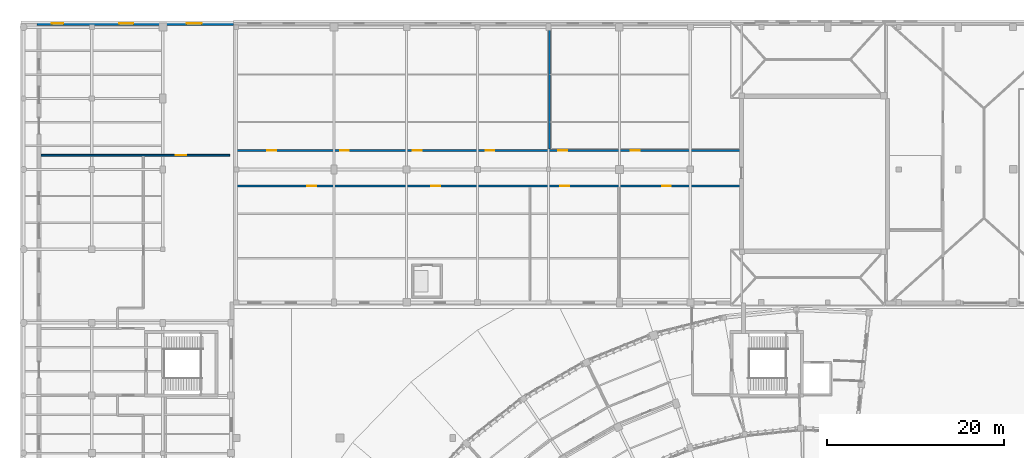
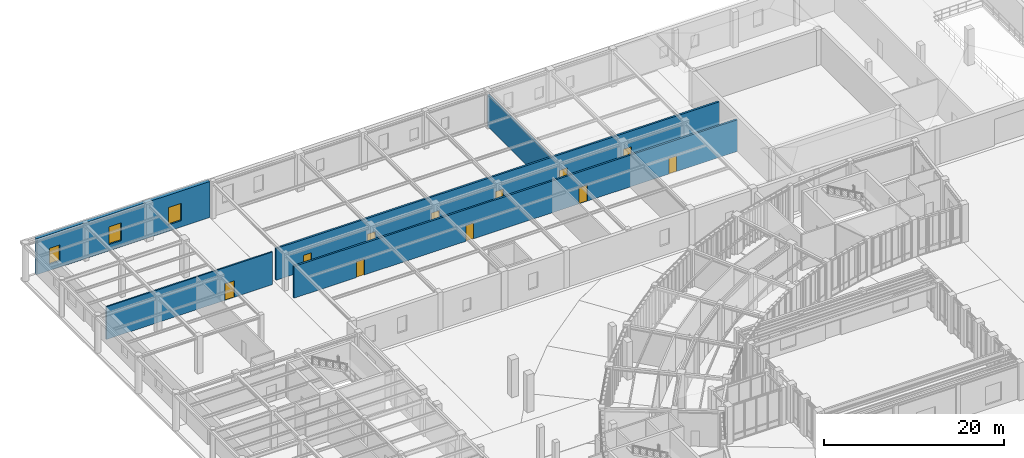
# One storey, part 43 of 68: 11 doors, 5 walls, 3 windows, 14 openings.
"""IFC4 building model written with IfcOpenShell, lengths in metres."""

from ifc_helpers import new_model, si_unit, direction, frame, frame_2d, origin, place, context, subcontext, project, spatial, rectangle, extrude, material, layer, layer_set, type_object, element, fill, save


model = new_model("IFC4")

# Units and contexts
model_context = context("Model", 3, precision=1e-05, world=origin(), true_north=direction((0.0, 1.0)))
body_context = subcontext(model_context, "Body", "Model", "MODEL_VIEW")
ifc_project = project(units=[si_unit("LENGTHUNIT", "METRE"), si_unit("AREAUNIT", "SQUARE_METRE"), si_unit("VOLUMEUNIT", "CUBIC_METRE"), si_unit("PLANEANGLEUNIT", "RADIAN"), si_unit("MASSUNIT", "GRAM", prefix="KILO"), si_unit("THERMODYNAMICTEMPERATUREUNIT", "KELVIN"), si_unit("POWERUNIT", "WATT")], contexts=[model_context])

# Site, building, storey
site_placement = place(None, origin())
site = spatial("IfcSite", under=ifc_project, at=site_placement, CompositionType="ELEMENT")
building_placement = place(site_placement, origin())
building = spatial("IfcBuilding", under=site, at=building_placement, Name="Solvatero Civic Police Headquarters", CompositionType="ELEMENT")
storey_placement = place(building_placement, origin())
storey = spatial("IfcBuildingStorey", under=building, at=storey_placement, Name="L00", CompositionType="ELEMENT", Elevation=0.0)

# Wall, openings, doors
ifc_material_1 = material(Name="Reinforced Masonry", Category="masonry")
ifc_layer_1 = layer(ifc_material_1, 0.239990234375)
ifc_layer_set_1 = layer_set([ifc_layer_1], Name="Reinforced Masonry")
wall_type_1 = type_object("IfcWallType", Name="WL-CELL-240", PredefinedType="PARTITIONING", material=ifc_layer_set_1)
wall_1_placement = place(storey_placement, frame((28.800048828125, 98.64990234375, 0.0), z_axis=(0.0, 0.0, 1.0), x_axis=(1.0, 0.0, 0.0)))
wall_1 = element("IfcWall", 1, at=wall_1_placement, inside=storey, type_object=wall_type_1, Name="Interior Partition WLP-L00-CUST-S", PredefinedType="PARTITIONING", context=body_context, shape_type="SweptSolid", body=[
    extrude(rectangle(XDim=56.800048828125, YDim=0.239990234375, at=frame_2d((28.39990234375, 0.0))), origin(), (0.0, 0.0, 1.0), 4.298095703125),
])
opening_1_placement = place(wall_1_placement, frame((8.0, 0.0, 0.0)))
opening_1 = element("IfcOpeningElement", 2, at=opening_1_placement, cuts=wall_1, Name="Opening CD-01", PredefinedType="OPENING", context=body_context, shape_type="SweptSolid", body=[
    extrude(rectangle(XDim=1.0, YDim=2.14990234375, at=frame_2d((0.5, 1.074951171875))), frame((0.0, 0.1298828125, 0.0), z_axis=(0.0, -1.0, 0.0), x_axis=(1.0, 0.0, 0.0)), (0.0, 0.0, 1.0), 0.260009765625),
])
opening_2_placement = place(wall_1_placement, frame((22.0, 0.0, 0.0)))
opening_2 = element("IfcOpeningElement", 3, at=opening_2_placement, cuts=wall_1, Name="Opening CD-01", PredefinedType="OPENING", context=body_context, shape_type="SweptSolid", body=[
    extrude(rectangle(XDim=1.0, YDim=2.14990234375, at=frame_2d((0.5, 1.074951171875))), frame((0.0, 0.1298828125, 0.0), z_axis=(0.0, -1.0, 0.0), x_axis=(1.0, 0.0, 0.0)), (0.0, 0.0, 1.0), 0.260009765625),
])
opening_3_placement = place(wall_1_placement, frame((36.5, 0.0, 0.0)))
opening_3 = element("IfcOpeningElement", 4, at=opening_3_placement, cuts=wall_1, Name="Opening ID-07", PredefinedType="OPENING", context=body_context, shape_type="SweptSolid", body=[
    extrude(rectangle(XDim=1.050048828125, YDim=2.199951171875, at=frame_2d((0.52490234375, 1.10009765625))), frame((0.0, 0.1298828125, 0.0), z_axis=(0.0, -1.0, 0.0), x_axis=(1.0, 0.0, 0.0)), (0.0, 0.0, 1.0), 0.260009765625),
])
opening_4_placement = place(wall_1_placement, frame((48.0, 0.0, 0.0)))
opening_4 = element("IfcOpeningElement", 5, at=opening_4_placement, cuts=wall_1, Name="Opening CD-01", PredefinedType="OPENING", context=body_context, shape_type="SweptSolid", body=[
    extrude(rectangle(XDim=1.0, YDim=2.14990234375, at=frame_2d((0.5, 1.074951171875))), frame((0.0, 0.1298828125, 0.0), z_axis=(0.0, -1.0, 0.0), x_axis=(1.0, 0.0, 0.0)), (0.0, 0.0, 1.0), 0.260009765625),
])
ifc_material_2 = material(Name="Powder-Coated Steel", Category="steel")
door_type_1 = type_object("IfcDoorType", Name="DR-CEL-100x215", OperationType="NOTDEFINED", PredefinedType="DOOR", material=ifc_material_2)
door_1_placement = place(opening_1_placement, origin())
door_1 = element("IfcDoor", 6, at=door_1_placement, inside=storey, type_object=door_type_1, Name="Interior Door DR-L00-DINT1", OperationType="SINGLE_SWING_LEFT", OverallHeight=2.14990234375, OverallWidth=1.0, PredefinedType="DOOR", context=body_context, shape_type="SweptSolid", body=[
    extrude(rectangle(XDim=1.0, YDim=2.14990234375, at=frame_2d((0.5, 1.074951171875))), frame((0.0, 0.02490234375, 0.0), z_axis=(0.0, -1.0, 0.0), x_axis=(1.0, 0.0, 0.0)), (0.0, 0.0, 1.0), 0.050048828125),
])
fill(opening_1, door_1)
door_2_placement = place(opening_2_placement, origin())
door_2 = element("IfcDoor", 7, at=door_2_placement, inside=storey, type_object=door_type_1, Name="Interior Door DR-L00-DINT2", OperationType="SINGLE_SWING_RIGHT", OverallHeight=2.14990234375, OverallWidth=1.0, PredefinedType="DOOR", context=body_context, shape_type="SweptSolid", body=[
    extrude(rectangle(XDim=1.0, YDim=2.14990234375, at=frame_2d((0.5, 1.074951171875))), frame((0.0, 0.02490234375, 0.0), z_axis=(0.0, -1.0, 0.0), x_axis=(1.0, 0.0, 0.0)), (0.0, 0.0, 1.0), 0.050048828125),
])
fill(opening_2, door_2)
door_3_placement = place(opening_4_placement, origin())
door_3 = element("IfcDoor", 8, at=door_3_placement, inside=storey, type_object=door_type_1, Name="Interior Door DR-L00-CDESK", OperationType="SINGLE_SWING_RIGHT", OverallHeight=2.14990234375, OverallWidth=1.0, PredefinedType="DOOR", context=body_context, shape_type="SweptSolid", body=[
    extrude(rectangle(XDim=1.0, YDim=2.14990234375, at=frame_2d((0.5, 1.074951171875))), frame((0.0, 0.02490234375, 0.0), z_axis=(0.0, -1.0, 0.0), x_axis=(1.0, 0.0, 0.0)), (0.0, 0.0, 1.0), 0.050048828125),
])
fill(opening_4, door_3)
door_type_2 = type_object("IfcDoorType", Name="DR-LAB-105x220", OperationType="NOTDEFINED", PredefinedType="DOOR", material=ifc_material_2)
door_4_placement = place(opening_3_placement, origin())
door_4 = element("IfcDoor", 9, at=door_4_placement, inside=storey, type_object=door_type_2, Name="Interior Door DR-L00-CMED", OperationType="SINGLE_SWING_LEFT", OverallHeight=2.199951171875, OverallWidth=1.050048828125, PredefinedType="DOOR", context=body_context, shape_type="SweptSolid", body=[
    extrude(rectangle(XDim=1.050048828125, YDim=2.199951171875, at=frame_2d((0.52490234375, 1.10009765625))), frame((0.0, 0.02490234375, 0.0), z_axis=(0.0, -1.0, 0.0), x_axis=(1.0, 0.0, 0.0)), (0.0, 0.0, 1.0), 0.050048828125),
])
fill(opening_3, door_4)

wall_2_placement = place(storey_placement, frame((28.800048828125, 102.64990234375, 0.0), z_axis=(0.0, 0.0, 1.0), x_axis=(1.0, 0.0, 0.0)))
wall_2 = element("IfcWall", 10, at=wall_2_placement, inside=storey, type_object=wall_type_1, Name="Interior Partition WLP-L00-CUST-N", PredefinedType="PARTITIONING", context=body_context, shape_type="SweptSolid", body=[
    extrude(rectangle(XDim=56.800048828125, YDim=0.239990234375, at=frame_2d((28.39990234375, 0.0))), origin(), (0.0, 0.0, 1.0), 4.298095703125),
])
opening_5_placement = place(wall_2_placement, frame((3.5, 0.0, 0.0)))
opening_5 = element("IfcOpeningElement", 11, at=opening_5_placement, cuts=wall_2, Name="Opening CD-01", PredefinedType="OPENING", context=body_context, shape_type="SweptSolid", body=[
    extrude(rectangle(XDim=1.0, YDim=2.14990234375, at=frame_2d((0.5, 1.074951171875))), frame((0.0, 0.1298828125, 0.0), z_axis=(0.0, -1.0, 0.0), x_axis=(1.0, 0.0, 0.0)), (0.0, 0.0, 1.0), 0.260009765625),
])
opening_6_placement = place(wall_2_placement, frame((11.699951171875, 0.0, 0.0)))
opening_6 = element("IfcOpeningElement", 12, at=opening_6_placement, cuts=wall_2, Name="Opening CD-01", PredefinedType="OPENING", context=body_context, shape_type="SweptSolid", body=[
    extrude(rectangle(XDim=1.0, YDim=2.14990234375, at=frame_2d((0.5, 1.074951171875))), frame((0.0, 0.1298828125, 0.0), z_axis=(0.0, -1.0, 0.0), x_axis=(1.0, 0.0, 0.0)), (0.0, 0.0, 1.0), 0.260009765625),
])
opening_7_placement = place(wall_2_placement, frame((19.89990234375, 0.0, 0.0)))
opening_7 = element("IfcOpeningElement", 13, at=opening_7_placement, cuts=wall_2, Name="Opening CD-01", PredefinedType="OPENING", context=body_context, shape_type="SweptSolid", body=[
    extrude(rectangle(XDim=1.0, YDim=2.14990234375, at=frame_2d((0.5, 1.074951171875))), frame((0.0, 0.1298828125, 0.0), z_axis=(0.0, -1.0, 0.0), x_axis=(1.0, 0.0, 0.0)), (0.0, 0.0, 1.0), 0.260009765625),
])
opening_8_placement = place(wall_2_placement, frame((28.10009765625, 0.0, 0.0)))
opening_8 = element("IfcOpeningElement", 14, at=opening_8_placement, cuts=wall_2, Name="Opening CD-01", PredefinedType="OPENING", context=body_context, shape_type="SweptSolid", body=[
    extrude(rectangle(XDim=1.0, YDim=2.14990234375, at=frame_2d((0.5, 1.074951171875))), frame((0.0, 0.1298828125, 0.0), z_axis=(0.0, -1.0, 0.0), x_axis=(1.0, 0.0, 0.0)), (0.0, 0.0, 1.0), 0.260009765625),
])
opening_9_placement = place(wall_2_placement, frame((36.300048828125, 0.0, 0.0)))
opening_9 = element("IfcOpeningElement", 15, at=opening_9_placement, cuts=wall_2, Name="Opening CD-01", PredefinedType="OPENING", context=body_context, shape_type="SweptSolid", body=[
    extrude(rectangle(XDim=1.0, YDim=2.14990234375, at=frame_2d((0.5, 1.074951171875))), frame((0.0, 0.1298828125, 0.0), z_axis=(0.0, -1.0, 0.0), x_axis=(1.0, 0.0, 0.0)), (0.0, 0.0, 1.0), 0.260009765625),
])
opening_10_placement = place(wall_2_placement, frame((44.5, 0.0, 0.0)))
opening_10 = element("IfcOpeningElement", 16, at=opening_10_placement, cuts=wall_2, Name="Opening CD-01", PredefinedType="OPENING", context=body_context, shape_type="SweptSolid", body=[
    extrude(rectangle(XDim=1.0, YDim=2.14990234375, at=frame_2d((0.5, 1.074951171875))), frame((0.0, 0.1298828125, 0.0), z_axis=(0.0, -1.0, 0.0), x_axis=(1.0, 0.0, 0.0)), (0.0, 0.0, 1.0), 0.260009765625),
])
door_5_placement = place(opening_5_placement, origin())
door_5 = element("IfcDoor", 17, at=door_5_placement, inside=storey, type_object=door_type_1, Name="Interior Door DR-L00-CELL-01", OperationType="SINGLE_SWING_LEFT", OverallHeight=2.14990234375, OverallWidth=1.0, PredefinedType="DOOR", context=body_context, shape_type="SweptSolid", body=[
    extrude(rectangle(XDim=1.0, YDim=2.14990234375, at=frame_2d((0.5, 1.074951171875))), frame((0.0, 0.02490234375, 0.0), z_axis=(0.0, -1.0, 0.0), x_axis=(1.0, 0.0, 0.0)), (0.0, 0.0, 1.0), 0.050048828125),
])
fill(opening_5, door_5)
door_6_placement = place(opening_6_placement, origin())
door_6 = element("IfcDoor", 18, at=door_6_placement, inside=storey, type_object=door_type_1, Name="Interior Door DR-L00-CELL-02", OperationType="SINGLE_SWING_RIGHT", OverallHeight=2.14990234375, OverallWidth=1.0, PredefinedType="DOOR", context=body_context, shape_type="SweptSolid", body=[
    extrude(rectangle(XDim=1.0, YDim=2.14990234375, at=frame_2d((0.5, 1.074951171875))), frame((0.0, 0.02490234375, 0.0), z_axis=(0.0, -1.0, 0.0), x_axis=(1.0, 0.0, 0.0)), (0.0, 0.0, 1.0), 0.050048828125),
])
fill(opening_6, door_6)
door_7_placement = place(opening_7_placement, origin())
door_7 = element("IfcDoor", 19, at=door_7_placement, inside=storey, type_object=door_type_1, Name="Interior Door DR-L00-CELL-03", OperationType="SINGLE_SWING_LEFT", OverallHeight=2.14990234375, OverallWidth=1.0, PredefinedType="DOOR", context=body_context, shape_type="SweptSolid", body=[
    extrude(rectangle(XDim=1.0, YDim=2.14990234375, at=frame_2d((0.5, 1.074951171875))), frame((0.0, 0.02490234375, 0.0), z_axis=(0.0, -1.0, 0.0), x_axis=(1.0, 0.0, 0.0)), (0.0, 0.0, 1.0), 0.050048828125),
])
fill(opening_7, door_7)
door_8_placement = place(opening_8_placement, origin())
door_8 = element("IfcDoor", 20, at=door_8_placement, inside=storey, type_object=door_type_1, Name="Interior Door DR-L00-CELL-04", OperationType="SINGLE_SWING_RIGHT", OverallHeight=2.14990234375, OverallWidth=1.0, PredefinedType="DOOR", context=body_context, shape_type="SweptSolid", body=[
    extrude(rectangle(XDim=1.0, YDim=2.14990234375, at=frame_2d((0.5, 1.074951171875))), frame((0.0, 0.02490234375, 0.0), z_axis=(0.0, -1.0, 0.0), x_axis=(1.0, 0.0, 0.0)), (0.0, 0.0, 1.0), 0.050048828125),
])
fill(opening_8, door_8)
door_9_placement = place(opening_9_placement, origin())
door_9 = element("IfcDoor", 21, at=door_9_placement, inside=storey, type_object=door_type_1, Name="Interior Door DR-L00-CELL-05", OperationType="SINGLE_SWING_LEFT", OverallHeight=2.14990234375, OverallWidth=1.0, PredefinedType="DOOR", context=body_context, shape_type="SweptSolid", body=[
    extrude(rectangle(XDim=1.0, YDim=2.14990234375, at=frame_2d((0.5, 1.074951171875))), frame((0.0, 0.02490234375, 0.0), z_axis=(0.0, -1.0, 0.0), x_axis=(1.0, 0.0, 0.0)), (0.0, 0.0, 1.0), 0.050048828125),
])
fill(opening_9, door_9)
door_10_placement = place(opening_10_placement, origin())
door_10 = element("IfcDoor", 22, at=door_10_placement, inside=storey, type_object=door_type_1, Name="Interior Door DR-L00-CELL-06", OperationType="SINGLE_SWING_RIGHT", OverallHeight=2.14990234375, OverallWidth=1.0, PredefinedType="DOOR", context=body_context, shape_type="SweptSolid", body=[
    extrude(rectangle(XDim=1.0, YDim=2.14990234375, at=frame_2d((0.5, 1.074951171875))), frame((0.0, 0.02490234375, 0.0), z_axis=(0.0, -1.0, 0.0), x_axis=(1.0, 0.0, 0.0)), (0.0, 0.0, 1.0), 0.050048828125),
])
fill(opening_10, door_10)

# Wall
wall_3_placement = place(storey_placement, frame((64.10009765625, 102.800048828125, 0.0), z_axis=(0.0, 0.0, 1.0), x_axis=(0.0, 1.0, 0.0)))
element("IfcWall", 23, at=wall_3_placement, inside=storey, type_object=wall_type_1, Name="Interior Partition WLP-L00-CUST-M3", PredefinedType="PARTITIONING", context=body_context, shape_type="SweptSolid", body=[
    extrude(rectangle(XDim=13.800048828125, YDim=0.239990234375, at=frame_2d((6.89990234375, 0.0))), origin(), (0.0, 0.0, 1.0), 4.300048828125),
])

# Wall, openings, windows
ifc_material_3 = material(Name="Grey Sandstone Ashlar", Category="masonry")
ifc_layer_2 = layer(ifc_material_3, 0.449951171875)
ifc_layer_set_2 = layer_set([ifc_layer_2], Name="Grey Sandstone Ashlar")
wall_type_2 = type_object("IfcWallType", Name="WL-EXT-SAND-450", PredefinedType="SOLIDWALL", material=ifc_layer_set_2)
wall_4_placement = place(storey_placement, frame((6.340087890625, 116.949951171875, 0.0), z_axis=(0.0, 0.0, 1.0), x_axis=(1.0, 0.0, 0.0)))
wall_4 = element("IfcWall", 24, at=wall_4_placement, inside=storey, type_object=wall_type_2, Name="Exterior Wall WLE-L00-V7NW-N", PredefinedType="SOLIDWALL", context=body_context, shape_type="SweptSolid", body=[
    extrude(rectangle(XDim=22.159912109375, YDim=0.449951171875, at=frame_2d((11.080078125, 0.0))), origin(), (0.0, 0.0, 1.0), 4.8798828125),
])
opening_11_placement = place(wall_4_placement, frame((1.64990234375, 0.0, 0.85009765625)))
opening_11 = element("IfcOpeningElement", 25, at=opening_11_placement, cuts=wall_4, Name="Opening W-13", PredefinedType="OPENING", context=body_context, shape_type="SweptSolid", body=[
    extrude(rectangle(XDim=1.300048828125, YDim=2.14990234375, at=frame_2d((0.64990234375, 1.074951171875))), frame((0.0, 0.23486328125, 0.0), z_axis=(0.0, -1.0, 0.0), x_axis=(1.0, 0.0, 0.0)), (0.0, 0.0, 1.0), 0.469970703125),
])
opening_12_placement = place(wall_4_placement, frame((9.25, 0.0, 0.85009765625)))
opening_12 = element("IfcOpeningElement", 26, at=opening_12_placement, cuts=wall_4, Name="Opening W-04", PredefinedType="OPENING", context=body_context, shape_type="SweptSolid", body=[
    extrude(rectangle(XDim=1.60009765625, YDim=2.39990234375, at=frame_2d((0.800048828125, 1.199951171875))), frame((0.0, 0.23486328125, 0.0), z_axis=(0.0, -1.0, 0.0), x_axis=(1.0, 0.0, 0.0)), (0.0, 0.0, 1.0), 0.469970703125),
])
opening_13_placement = place(wall_4_placement, frame((16.85009765625, 0.0, 0.85009765625)))
opening_13 = element("IfcOpeningElement", 27, at=opening_13_placement, cuts=wall_4, Name="Opening W-14", PredefinedType="OPENING", context=body_context, shape_type="SweptSolid", body=[
    extrude(rectangle(XDim=1.699951171875, YDim=2.35009765625, at=frame_2d((0.85009765625, 1.175048828125))), frame((0.0, 0.23486328125, 0.0), z_axis=(0.0, -1.0, 0.0), x_axis=(1.0, 0.0, 0.0)), (0.0, 0.0, 1.0), 0.469970703125),
])
ifc_material_4 = material(Name="Anodized Bronze Aluminium", Category="aluminium")
window_type_1 = type_object("IfcWindowType", Name="WN-CL-130x215", PartitioningType="SINGLE_PANEL", PredefinedType="WINDOW", material=ifc_material_4)
window_1_placement = place(opening_11_placement, origin())
window_1 = element("IfcWindow", 28, at=window_1_placement, inside=storey, type_object=window_type_1, Name="Exterior Window 0149", OverallHeight=2.14990234375, OverallWidth=1.300048828125, PartitioningType="SINGLE_PANEL", PredefinedType="WINDOW", context=body_context, shape_type="SweptSolid", body=[
    extrude(rectangle(XDim=1.300048828125, YDim=2.14990234375, at=frame_2d((0.64990234375, 1.074951171875))), frame((0.0, 0.030029296875, 0.0), z_axis=(0.0, -1.0, 0.0), x_axis=(1.0, 0.0, 0.0)), (0.0, 0.0, 1.0), 0.06005859375),
])
fill(opening_11, window_1)
window_type_2 = type_object("IfcWindowType", Name="WN-CL-160x240", PartitioningType="SINGLE_PANEL", PredefinedType="WINDOW", material=ifc_material_4)
window_2_placement = place(opening_12_placement, origin())
window_2 = element("IfcWindow", 29, at=window_2_placement, inside=storey, type_object=window_type_2, Name="Exterior Window 0150", OverallHeight=2.39990234375, OverallWidth=1.60009765625, PartitioningType="SINGLE_PANEL", PredefinedType="WINDOW", context=body_context, shape_type="SweptSolid", body=[
    extrude(rectangle(XDim=1.60009765625, YDim=2.39990234375, at=frame_2d((0.800048828125, 1.199951171875))), frame((0.0, 0.030029296875, 0.0), z_axis=(0.0, -1.0, 0.0), x_axis=(1.0, 0.0, 0.0)), (0.0, 0.0, 1.0), 0.06005859375),
])
fill(opening_12, window_2)
window_type_3 = type_object("IfcWindowType", Name="WN-CL-170x235", PartitioningType="SINGLE_PANEL", PredefinedType="WINDOW", material=ifc_material_4)
window_3_placement = place(opening_13_placement, origin())
window_3 = element("IfcWindow", 30, at=window_3_placement, inside=storey, type_object=window_type_3, Name="Exterior Window 0151", OverallHeight=2.35009765625, OverallWidth=1.699951171875, PartitioningType="SINGLE_PANEL", PredefinedType="WINDOW", context=body_context, shape_type="SweptSolid", body=[
    extrude(rectangle(XDim=1.699951171875, YDim=2.35009765625, at=frame_2d((0.85009765625, 1.175048828125))), frame((0.0, 0.030029296875, 0.0), z_axis=(0.0, -1.0, 0.0), x_axis=(1.0, 0.0, 0.0)), (0.0, 0.0, 1.0), 0.06005859375),
])
fill(opening_13, window_3)

# Wall, opening, door
ifc_material_5 = material(Name="Concrete Blockwork", Category="masonry")
ifc_layer_3 = layer(ifc_material_5, 0.179931640625)
ifc_layer_set_3 = layer_set([ifc_layer_3], Name="Concrete Blockwork")
wall_type_3 = type_object("IfcWallType", Name="WL-PTN-180", PredefinedType="PARTITIONING", material=ifc_layer_set_3)
wall_5_placement = place(storey_placement, frame((6.780029296875, 102.10009765625, 0.0), z_axis=(0.0, 0.0, 1.0), x_axis=(1.0, 0.0, 0.0)))
wall_5 = element("IfcWall", 31, at=wall_5_placement, inside=storey, type_object=wall_type_3, Name="Interior Partition WLP-L00-V7NW-H", PredefinedType="PARTITIONING", context=body_context, shape_type="SweptSolid", body=[
    extrude(rectangle(XDim=21.27001953125, YDim=0.179931640625, at=frame_2d((10.635009765625, 0.0))), origin(), (0.0, 0.0, 1.0), 4.427978515625),
])
opening_14_placement = place(wall_5_placement, frame((15.199951171875, 0.0, 0.0)))
opening_14 = element("IfcOpeningElement", 32, at=opening_14_placement, cuts=wall_5, Name="Opening ID-11", PredefinedType="OPENING", context=body_context, shape_type="SweptSolid", body=[
    extrude(rectangle(XDim=1.179931640625, YDim=2.239990234375, at=frame_2d((0.58984375, 1.1201171875))), frame((0.0, 0.099853515625, 0.0), z_axis=(0.0, -1.0, 0.0), x_axis=(1.0, 0.0, 0.0)), (0.0, 0.0, 1.0), 0.199951171875),
])
door_type_3 = type_object("IfcDoorType", Name="DR-COR-118x224", OperationType="NOTDEFINED", PredefinedType="DOOR", material=ifc_material_2)
door_11_placement = place(opening_14_placement, origin())
door_11 = element("IfcDoor", 33, at=door_11_placement, inside=storey, type_object=door_type_3, Name="Interior Door DR-L00-CYCSH", OperationType="SINGLE_SWING_RIGHT", OverallHeight=2.239990234375, OverallWidth=1.179931640625, PredefinedType="DOOR", context=body_context, shape_type="SweptSolid", body=[
    extrude(rectangle(XDim=1.179931640625, YDim=2.239990234375, at=frame_2d((0.58984375, 1.1201171875))), frame((0.0, 0.02490234375, 0.0), z_axis=(0.0, -1.0, 0.0), x_axis=(1.0, 0.0, 0.0)), (0.0, 0.0, 1.0), 0.050048828125),
])
fill(opening_14, door_11)

save(model, "model.ifc")
